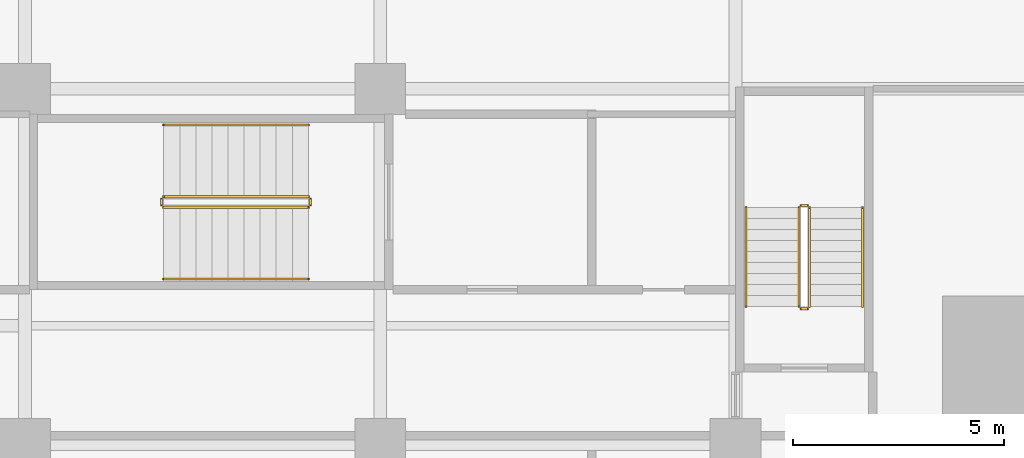
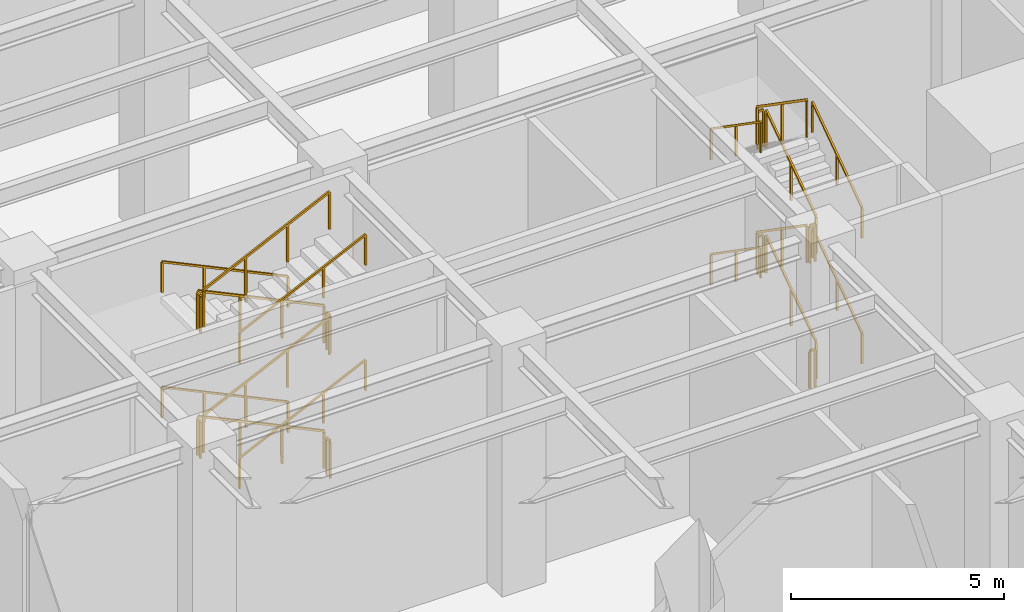
# One storey, part 41 of 43: 24 railings.
"""IFC4 building model written with IfcOpenShell, lengths in metres."""

from ifc_helpers import new_model, si_unit, direction, frame, origin, origin_2d, place, context, subcontext, project, spatial, rectangle, extrude, material, type_object, element, save


model = new_model("IFC4")

# Units and contexts
model_context = context("Model", 3, precision=1e-05, world=origin(), true_north=direction((0.0, 1.0)))
body_context = subcontext(model_context, "Body", "Model", "MODEL_VIEW")
ifc_project = project(units=[si_unit("LENGTHUNIT", "METRE"), si_unit("AREAUNIT", "SQUARE_METRE"), si_unit("VOLUMEUNIT", "CUBIC_METRE"), si_unit("PLANEANGLEUNIT", "RADIAN"), si_unit("MASSUNIT", "GRAM", prefix="KILO")], contexts=[model_context])

# Site, building, storey
site_placement = place(None, origin())
site = spatial("IfcSite", under=ifc_project, at=site_placement, CompositionType="ELEMENT")
building_placement = place(site_placement, origin())
building = spatial("IfcBuilding", under=site, at=building_placement, Name="Khepri Terraces", CompositionType="ELEMENT")
storey_placement = place(building_placement, origin())
storey = spatial("IfcBuildingStorey", under=building, at=storey_placement, Name="L00", CompositionType="ELEMENT", Elevation=0.0)

# Railings
ifc_material = material(Name="Stainless steel 316", Category="steel")
railing_type_1 = type_object("IfcRailingType", Name="RL-POD-GUARD", PredefinedType="GUARDRAIL", material=ifc_material)
railing_1_placement = place(storey_placement, frame((-23.449951171875, 20.050048828125, 0.179931640625)))
element("IfcRailing", 1, at=railing_1_placement, inside=storey, type_object=railing_type_1, Name="L00 PS-2 stair guard 1", PredefinedType="GUARDRAIL", context=body_context, shape_type="SweptSolid", body=[
    extrude(rectangle(XDim=0.050048828125, YDim=0.06005859375, at=origin_2d()), frame((0.0, 0.0, 1.070068359375), z_axis=(0.0, 0.822155131156, 0.569263506923), x_axis=(-1.0, 0.0, 0.0)), (0.0, 0.0, 1.0), 2.845947265625),
    extrude(rectangle(XDim=0.050048828125, YDim=0.050048828125, at=origin_2d()), origin(), (0.0, 0.0, 1.0), 1.0400390625),
    extrude(rectangle(XDim=0.050048828125, YDim=0.050048828125, at=origin_2d()), frame((0.0, 1.169921875, 0.81005859375)), (0.0, 0.0, 1.0), 1.0400390625),
    extrude(rectangle(XDim=0.050048828125, YDim=0.050048828125, at=origin_2d()), frame((0.0, 2.33984375, 1.6201171875)), (0.0, 0.0, 1.0), 1.0400390625),
])
railing_2_placement = place(storey_placement, frame((-23.5, 22.43994140625, 1.800048828125)))
element("IfcRailing", 2, at=railing_2_placement, inside=storey, type_object=railing_type_1, Name="L00 PS-2 stair guard 2", PredefinedType="GUARDRAIL", context=body_context, shape_type="SweptSolid", body=[
    extrude(rectangle(XDim=0.050048828125, YDim=0.06005859375, at=origin_2d()), frame((0.0, 0.0, 1.070068359375), z_axis=(-1.0, 0.0, 0.0), x_axis=(0.0, -1.0, 0.0)), (0.0, 0.0, 1.0), 0.14990234375),
    extrude(rectangle(XDim=0.050048828125, YDim=0.050048828125, at=origin_2d()), origin(), (0.0, 0.0, 1.0), 1.0400390625),
    extrude(rectangle(XDim=0.050048828125, YDim=0.050048828125, at=origin_2d()), frame((-0.14990234375, 0.0, 0.0)), (0.0, 0.0, 1.0), 1.0400390625),
])
railing_3_placement = place(storey_placement, frame((-23.699951171875, 22.389892578125, 1.97998046875)))
element("IfcRailing", 3, at=railing_3_placement, inside=storey, type_object=railing_type_1, Name="L00 PS-2 stair guard 3", PredefinedType="GUARDRAIL", context=body_context, shape_type="SweptSolid", body=[
    extrude(rectangle(XDim=0.050048828125, YDim=0.06005859375, at=origin_2d()), frame((0.0, 0.0, 1.070068359375), z_axis=(0.0, -0.822155131156, 0.569263506923), x_axis=(1.0, 0.0, 0.0)), (0.0, 0.0, 1.0), 2.845947265625),
    extrude(rectangle(XDim=0.050048828125, YDim=0.050048828125, at=origin_2d()), origin(), (0.0, 0.0, 1.0), 1.0400390625),
    extrude(rectangle(XDim=0.050048828125, YDim=0.050048828125, at=origin_2d()), frame((0.0, -1.169921875, 0.81005859375)), (0.0, 0.0, 1.0), 1.0400390625),
    extrude(rectangle(XDim=0.050048828125, YDim=0.050048828125, at=origin_2d()), frame((0.0, -2.33984375, 1.6201171875)), (0.0, 0.0, 1.0), 1.0400390625),
])
railing_4_placement = place(storey_placement, frame((-23.5, 20.0, 3.60009765625)))
element("IfcRailing", 4, at=railing_4_placement, inside=storey, type_object=railing_type_1, Name="L00 PS-2 stair guard 4", PredefinedType="GUARDRAIL", context=body_context, shape_type="SweptSolid", body=[
    extrude(rectangle(XDim=0.050048828125, YDim=0.06005859375, at=origin_2d()), frame((0.0, 0.0, 1.070068359375), z_axis=(-1.0, 0.0, 0.0), x_axis=(0.0, -1.0, 0.0)), (0.0, 0.0, 1.0), 0.14990234375),
    extrude(rectangle(XDim=0.050048828125, YDim=0.050048828125, at=origin_2d()), origin(), (0.0, 0.0, 1.0), 1.0400390625),
    extrude(rectangle(XDim=0.050048828125, YDim=0.050048828125, at=origin_2d()), frame((-0.14990234375, 0.0, 0.0)), (0.0, 0.0, 1.0), 1.0400390625),
])
railing_5_placement = place(storey_placement, frame((-23.449951171875, 20.050048828125, 3.780029296875)))
element("IfcRailing", 5, at=railing_5_placement, inside=storey, type_object=railing_type_1, Name="L00 PS-2 stair guard 5", PredefinedType="GUARDRAIL", context=body_context, shape_type="SweptSolid", body=[
    extrude(rectangle(XDim=0.050048828125, YDim=0.06005859375, at=origin_2d()), frame((0.0, 0.0, 1.070068359375), z_axis=(0.0, 0.822195280011, 0.569205517829), x_axis=(-1.0, 0.0, 0.0)), (0.0, 0.0, 1.0), 2.845947265625),
    extrude(rectangle(XDim=0.050048828125, YDim=0.050048828125, at=origin_2d()), origin(), (0.0, 0.0, 1.0), 1.0400390625),
    extrude(rectangle(XDim=0.050048828125, YDim=0.050048828125, at=origin_2d()), frame((0.0, 1.169921875, 0.81005859375)), (0.0, 0.0, 1.0), 1.0400390625),
    extrude(rectangle(XDim=0.050048828125, YDim=0.050048828125, at=origin_2d()), frame((0.0, 2.33984375, 1.619873046875)), (0.0, 0.0, 1.0), 1.0400390625),
])
railing_6_placement = place(storey_placement, frame((-23.5, 22.43994140625, 5.39990234375)))
element("IfcRailing", 6, at=railing_6_placement, inside=storey, type_object=railing_type_1, Name="L00 PS-2 stair guard 6", PredefinedType="GUARDRAIL", context=body_context, shape_type="SweptSolid", body=[
    extrude(rectangle(XDim=0.050048828125, YDim=0.06005859375, at=origin_2d()), frame((0.0, 0.0, 1.070068359375), z_axis=(-1.0, 0.0, 0.0), x_axis=(0.0, -1.0, 0.0)), (0.0, 0.0, 1.0), 0.14990234375),
    extrude(rectangle(XDim=0.050048828125, YDim=0.050048828125, at=origin_2d()), origin(), (0.0, 0.0, 1.0), 1.0400390625),
    extrude(rectangle(XDim=0.050048828125, YDim=0.050048828125, at=origin_2d()), frame((-0.14990234375, 0.0, 0.0)), (0.0, 0.0, 1.0), 1.0400390625),
])
railing_7_placement = place(storey_placement, frame((-23.699951171875, 22.389892578125, 5.580078125)))
element("IfcRailing", 7, at=railing_7_placement, inside=storey, type_object=railing_type_1, Name="L00 PS-2 stair guard 7", PredefinedType="GUARDRAIL", context=body_context, shape_type="SweptSolid", body=[
    extrude(rectangle(XDim=0.050048828125, YDim=0.06005859375, at=origin_2d()), frame((0.0, 0.0, 1.070068359375), z_axis=(0.0, -0.822195280011, 0.569205517829), x_axis=(1.0, 0.0, 0.0)), (0.0, 0.0, 1.0), 2.845947265625),
    extrude(rectangle(XDim=0.050048828125, YDim=0.050048828125, at=origin_2d()), origin(), (0.0, 0.0, 1.0), 1.0400390625),
    extrude(rectangle(XDim=0.050048828125, YDim=0.050048828125, at=origin_2d()), frame((0.0, -1.169921875, 0.81005859375)), (0.0, 0.0, 1.0), 1.0400390625),
    extrude(rectangle(XDim=0.050048828125, YDim=0.050048828125, at=origin_2d()), frame((0.0, -2.33984375, 1.619873046875)), (0.0, 0.0, 1.0), 1.0400390625),
])
railing_8_placement = place(storey_placement, frame((-23.5, 20.0, 0.0)))
element("IfcRailing", 8, at=railing_8_placement, inside=storey, type_object=railing_type_1, Name="L00 PS-2 stair guard 8", PredefinedType="GUARDRAIL", context=body_context, shape_type="SweptSolid", body=[
    extrude(rectangle(XDim=0.050048828125, YDim=0.06005859375, at=origin_2d()), frame((0.0, 0.0, 1.070068359375), z_axis=(-1.0, 0.0, 0.0), x_axis=(0.0, -1.0, 0.0)), (0.0, 0.0, 1.0), 0.14990234375),
    extrude(rectangle(XDim=0.050048828125, YDim=0.050048828125, at=origin_2d()), origin(), (0.0, 0.0, 1.0), 1.0400390625),
    extrude(rectangle(XDim=0.050048828125, YDim=0.050048828125, at=origin_2d()), frame((-0.14990234375, 0.0, 0.0)), (0.0, 0.0, 1.0), 1.0400390625),
])
railing_9_placement = place(storey_placement, frame((-35.300048828125, 22.64990234375, 0.179931640625)))
element("IfcRailing", 9, at=railing_9_placement, inside=storey, type_object=railing_type_1, Name="L00 PS-5 stair guard 1", PredefinedType="GUARDRAIL", context=body_context, shape_type="SweptSolid", body=[
    extrude(rectangle(XDim=0.050048828125, YDim=0.06005859375, at=origin_2d()), frame((0.0, 0.0, 1.070068359375), z_axis=(-0.903722074505, 0.0, 0.428119623531), x_axis=(0.0, -1.0, 0.0)), (0.0, 0.0, 1.0), 3.7841796875),
    extrude(rectangle(XDim=0.050048828125, YDim=0.050048828125, at=origin_2d()), origin(), (0.0, 0.0, 1.0), 1.0400390625),
    extrude(rectangle(XDim=0.050048828125, YDim=0.050048828125, at=origin_2d()), frame((-1.139892578125, 0.0, 0.5400390625)), (0.0, 0.0, 1.0), 1.0400390625),
    extrude(rectangle(XDim=0.050048828125, YDim=0.050048828125, at=origin_2d()), frame((-2.280029296875, 0.0, 1.080078125)), (0.0, 0.0, 1.0), 1.0400390625),
    extrude(rectangle(XDim=0.050048828125, YDim=0.050048828125, at=origin_2d()), frame((-3.419921875, 0.0, 1.6201171875)), (0.0, 0.0, 1.0), 1.0400390625),
])
railing_10_placement = place(storey_placement, frame((-38.77001953125, 22.60009765625, 1.800048828125)))
element("IfcRailing", 10, at=railing_10_placement, inside=storey, type_object=railing_type_1, Name="L00 PS-5 stair guard 2", PredefinedType="GUARDRAIL", context=body_context, shape_type="SweptSolid", body=[
    extrude(rectangle(XDim=0.050048828125, YDim=0.06005859375, at=origin_2d()), frame((0.0, 0.0, 1.070068359375), z_axis=(0.0, -1.0, 0.0), x_axis=(1.0, 0.0, 0.0)), (0.0, 0.0, 1.0), 0.150146484375),
    extrude(rectangle(XDim=0.050048828125, YDim=0.050048828125, at=origin_2d()), origin(), (0.0, 0.0, 1.0), 1.0400390625),
    extrude(rectangle(XDim=0.050048828125, YDim=0.050048828125, at=origin_2d()), frame((0.0, -0.150146484375, 0.0)), (0.0, 0.0, 1.0), 1.0400390625),
])
railing_11_placement = place(storey_placement, frame((-38.719970703125, 22.39990234375, 1.97998046875)))
element("IfcRailing", 11, at=railing_11_placement, inside=storey, type_object=railing_type_1, Name="L00 PS-5 stair guard 3", PredefinedType="GUARDRAIL", context=body_context, shape_type="SweptSolid", body=[
    extrude(rectangle(XDim=0.050048828125, YDim=0.06005859375, at=origin_2d()), frame((0.0, 0.0, 1.070068359375), z_axis=(0.903722074505, 0.0, 0.428119623531), x_axis=(0.0, 1.0, 0.0)), (0.0, 0.0, 1.0), 3.7841796875),
    extrude(rectangle(XDim=0.050048828125, YDim=0.050048828125, at=origin_2d()), origin(), (0.0, 0.0, 1.0), 1.0400390625),
    extrude(rectangle(XDim=0.050048828125, YDim=0.050048828125, at=origin_2d()), frame((1.139892578125, 0.0, 0.5400390625)), (0.0, 0.0, 1.0), 1.0400390625),
    extrude(rectangle(XDim=0.050048828125, YDim=0.050048828125, at=origin_2d()), frame((2.280029296875, 0.0, 1.080078125)), (0.0, 0.0, 1.0), 1.0400390625),
    extrude(rectangle(XDim=0.050048828125, YDim=0.050048828125, at=origin_2d()), frame((3.419921875, 0.0, 1.6201171875)), (0.0, 0.0, 1.0), 1.0400390625),
])
railing_12_placement = place(storey_placement, frame((-35.25, 22.60009765625, 3.60009765625)))
element("IfcRailing", 12, at=railing_12_placement, inside=storey, type_object=railing_type_1, Name="L00 PS-5 stair guard 4", PredefinedType="GUARDRAIL", context=body_context, shape_type="SweptSolid", body=[
    extrude(rectangle(XDim=0.050048828125, YDim=0.06005859375, at=origin_2d()), frame((0.0, 0.0, 1.070068359375), z_axis=(0.0, -1.0, 0.0), x_axis=(1.0, 0.0, 0.0)), (0.0, 0.0, 1.0), 0.150146484375),
    extrude(rectangle(XDim=0.050048828125, YDim=0.050048828125, at=origin_2d()), origin(), (0.0, 0.0, 1.0), 1.0400390625),
    extrude(rectangle(XDim=0.050048828125, YDim=0.050048828125, at=origin_2d()), frame((0.0, -0.150146484375, 0.0)), (0.0, 0.0, 1.0), 1.0400390625),
])
railing_13_placement = place(storey_placement, frame((-35.300048828125, 22.64990234375, 3.780029296875)))
element("IfcRailing", 13, at=railing_13_placement, inside=storey, type_object=railing_type_1, Name="L00 PS-5 stair guard 5", PredefinedType="GUARDRAIL", context=body_context, shape_type="SweptSolid", body=[
    extrude(rectangle(XDim=0.050048828125, YDim=0.06005859375, at=origin_2d()), frame((0.0, 0.0, 1.070068359375), z_axis=(-0.903747034475, 0.0, 0.428066931306), x_axis=(0.0, -1.0, 0.0)), (0.0, 0.0, 1.0), 3.7841796875),
    extrude(rectangle(XDim=0.050048828125, YDim=0.050048828125, at=origin_2d()), origin(), (0.0, 0.0, 1.0), 1.0400390625),
    extrude(rectangle(XDim=0.050048828125, YDim=0.050048828125, at=origin_2d()), frame((-1.139892578125, 0.0, 0.5400390625)), (0.0, 0.0, 1.0), 1.0400390625),
    extrude(rectangle(XDim=0.050048828125, YDim=0.050048828125, at=origin_2d()), frame((-2.280029296875, 0.0, 1.079833984375)), (0.0, 0.0, 1.0), 1.0400390625),
    extrude(rectangle(XDim=0.050048828125, YDim=0.050048828125, at=origin_2d()), frame((-3.419921875, 0.0, 1.619873046875)), (0.0, 0.0, 1.0), 1.0400390625),
])
railing_14_placement = place(storey_placement, frame((-38.77001953125, 22.60009765625, 5.39990234375)))
element("IfcRailing", 14, at=railing_14_placement, inside=storey, type_object=railing_type_1, Name="L00 PS-5 stair guard 6", PredefinedType="GUARDRAIL", context=body_context, shape_type="SweptSolid", body=[
    extrude(rectangle(XDim=0.050048828125, YDim=0.06005859375, at=origin_2d()), frame((0.0, 0.0, 1.070068359375), z_axis=(0.0, -1.0, 0.0), x_axis=(1.0, 0.0, 0.0)), (0.0, 0.0, 1.0), 0.150146484375),
    extrude(rectangle(XDim=0.050048828125, YDim=0.050048828125, at=origin_2d()), origin(), (0.0, 0.0, 1.0), 1.0400390625),
    extrude(rectangle(XDim=0.050048828125, YDim=0.050048828125, at=origin_2d()), frame((0.0, -0.150146484375, 0.0)), (0.0, 0.0, 1.0), 1.0400390625),
])
railing_15_placement = place(storey_placement, frame((-38.719970703125, 22.39990234375, 5.580078125)))
element("IfcRailing", 15, at=railing_15_placement, inside=storey, type_object=railing_type_1, Name="L00 PS-5 stair guard 7", PredefinedType="GUARDRAIL", context=body_context, shape_type="SweptSolid", body=[
    extrude(rectangle(XDim=0.050048828125, YDim=0.06005859375, at=origin_2d()), frame((0.0, 0.0, 1.070068359375), z_axis=(0.903747034475, 0.0, 0.428066931306), x_axis=(0.0, 1.0, 0.0)), (0.0, 0.0, 1.0), 3.7841796875),
    extrude(rectangle(XDim=0.050048828125, YDim=0.050048828125, at=origin_2d()), origin(), (0.0, 0.0, 1.0), 1.0400390625),
    extrude(rectangle(XDim=0.050048828125, YDim=0.050048828125, at=origin_2d()), frame((1.139892578125, 0.0, 0.5400390625)), (0.0, 0.0, 1.0), 1.0400390625),
    extrude(rectangle(XDim=0.050048828125, YDim=0.050048828125, at=origin_2d()), frame((2.280029296875, 0.0, 1.079833984375)), (0.0, 0.0, 1.0), 1.0400390625),
    extrude(rectangle(XDim=0.050048828125, YDim=0.050048828125, at=origin_2d()), frame((3.419921875, 0.0, 1.619873046875)), (0.0, 0.0, 1.0), 1.0400390625),
])
railing_16_placement = place(storey_placement, frame((-35.25, 22.60009765625, 0.0)))
element("IfcRailing", 16, at=railing_16_placement, inside=storey, type_object=railing_type_1, Name="L00 PS-5 stair guard 8", PredefinedType="GUARDRAIL", context=body_context, shape_type="SweptSolid", body=[
    extrude(rectangle(XDim=0.050048828125, YDim=0.06005859375, at=origin_2d()), frame((0.0, 0.0, 1.070068359375), z_axis=(0.0, -1.0, 0.0), x_axis=(1.0, 0.0, 0.0)), (0.0, 0.0, 1.0), 0.150146484375),
    extrude(rectangle(XDim=0.050048828125, YDim=0.050048828125, at=origin_2d()), origin(), (0.0, 0.0, 1.0), 1.0400390625),
    extrude(rectangle(XDim=0.050048828125, YDim=0.050048828125, at=origin_2d()), frame((0.0, -0.150146484375, 0.0)), (0.0, 0.0, 1.0), 1.0400390625),
])
railing_type_2 = type_object("IfcRailingType", Name="RL-POD-HANDRAIL", PredefinedType="HANDRAIL", material=ifc_material)
railing_17_placement = place(storey_placement, frame((-22.199951171875, 20.050048828125, 0.179931640625)))
element("IfcRailing", 17, at=railing_17_placement, inside=storey, type_object=railing_type_2, Name="L00 PS-2 stair handrail 1", PredefinedType="HANDRAIL", context=body_context, shape_type="SweptSolid", body=[
    extrude(rectangle(XDim=0.050048828125, YDim=0.050048828125, at=origin_2d()), frame((0.0, 0.0, 0.875), z_axis=(0.0, 0.822155131156, 0.569263506923), x_axis=(-1.0, 0.0, 0.0)), (0.0, 0.0, 1.0), 2.845947265625),
    extrude(rectangle(XDim=0.050048828125, YDim=0.050048828125, at=origin_2d()), origin(), (0.0, 0.0, 1.0), 0.849853515625),
    extrude(rectangle(XDim=0.050048828125, YDim=0.050048828125, at=origin_2d()), frame((0.0, 1.169921875, 0.81005859375)), (0.0, 0.0, 1.0), 0.849853515625),
    extrude(rectangle(XDim=0.050048828125, YDim=0.050048828125, at=origin_2d()), frame((0.0, 2.33984375, 1.6201171875)), (0.0, 0.0, 1.0), 0.849853515625),
])
railing_18_placement = place(storey_placement, frame((-24.949951171875, 22.389892578125, 1.97998046875)))
element("IfcRailing", 18, at=railing_18_placement, inside=storey, type_object=railing_type_2, Name="L00 PS-2 stair handrail 2", PredefinedType="HANDRAIL", context=body_context, shape_type="SweptSolid", body=[
    extrude(rectangle(XDim=0.050048828125, YDim=0.050048828125, at=origin_2d()), frame((0.0, 0.0, 0.875), z_axis=(0.0, -0.822155131156, 0.569263506923), x_axis=(1.0, 0.0, 0.0)), (0.0, 0.0, 1.0), 2.845947265625),
    extrude(rectangle(XDim=0.050048828125, YDim=0.050048828125, at=origin_2d()), origin(), (0.0, 0.0, 1.0), 0.849853515625),
    extrude(rectangle(XDim=0.050048828125, YDim=0.050048828125, at=origin_2d()), frame((0.0, -1.169921875, 0.81005859375)), (0.0, 0.0, 1.0), 0.849853515625),
    extrude(rectangle(XDim=0.050048828125, YDim=0.050048828125, at=origin_2d()), frame((0.0, -2.33984375, 1.6201171875)), (0.0, 0.0, 1.0), 0.849853515625),
])
railing_19_placement = place(storey_placement, frame((-22.199951171875, 20.050048828125, 3.780029296875)))
element("IfcRailing", 19, at=railing_19_placement, inside=storey, type_object=railing_type_2, Name="L00 PS-2 stair handrail 3", PredefinedType="HANDRAIL", context=body_context, shape_type="SweptSolid", body=[
    extrude(rectangle(XDim=0.050048828125, YDim=0.050048828125, at=origin_2d()), frame((0.0, 0.0, 0.875), z_axis=(0.0, 0.822195280011, 0.569205517829), x_axis=(-1.0, 0.0, 0.0)), (0.0, 0.0, 1.0), 2.845947265625),
    extrude(rectangle(XDim=0.050048828125, YDim=0.050048828125, at=origin_2d()), origin(), (0.0, 0.0, 1.0), 0.849853515625),
    extrude(rectangle(XDim=0.050048828125, YDim=0.050048828125, at=origin_2d()), frame((0.0, 1.169921875, 0.81005859375)), (0.0, 0.0, 1.0), 0.849853515625),
    extrude(rectangle(XDim=0.050048828125, YDim=0.050048828125, at=origin_2d()), frame((0.0, 2.33984375, 1.619873046875)), (0.0, 0.0, 1.0), 0.849853515625),
])
railing_20_placement = place(storey_placement, frame((-24.949951171875, 22.389892578125, 5.580078125)))
element("IfcRailing", 20, at=railing_20_placement, inside=storey, type_object=railing_type_2, Name="L00 PS-2 stair handrail 4", PredefinedType="HANDRAIL", context=body_context, shape_type="SweptSolid", body=[
    extrude(rectangle(XDim=0.050048828125, YDim=0.050048828125, at=origin_2d()), frame((0.0, 0.0, 0.875), z_axis=(0.0, -0.822195280011, 0.569205517829), x_axis=(1.0, 0.0, 0.0)), (0.0, 0.0, 1.0), 2.845947265625),
    extrude(rectangle(XDim=0.050048828125, YDim=0.050048828125, at=origin_2d()), origin(), (0.0, 0.0, 1.0), 0.849853515625),
    extrude(rectangle(XDim=0.050048828125, YDim=0.050048828125, at=origin_2d()), frame((0.0, -1.169921875, 0.81005859375)), (0.0, 0.0, 1.0), 0.849853515625),
    extrude(rectangle(XDim=0.050048828125, YDim=0.050048828125, at=origin_2d()), frame((0.0, -2.33984375, 1.619873046875)), (0.0, 0.0, 1.0), 0.849853515625),
])
railing_21_placement = place(storey_placement, frame((-35.300048828125, 24.35009765625, 0.179931640625)))
element("IfcRailing", 21, at=railing_21_placement, inside=storey, type_object=railing_type_2, Name="L00 PS-5 stair handrail 1", PredefinedType="HANDRAIL", context=body_context, shape_type="SweptSolid", body=[
    extrude(rectangle(XDim=0.050048828125, YDim=0.050048828125, at=origin_2d()), frame((0.0, 0.0, 0.875), z_axis=(-0.903722074505, 0.0, 0.428119623531), x_axis=(0.0, -1.0, 0.0)), (0.0, 0.0, 1.0), 3.7841796875),
    extrude(rectangle(XDim=0.050048828125, YDim=0.050048828125, at=origin_2d()), origin(), (0.0, 0.0, 1.0), 0.849853515625),
    extrude(rectangle(XDim=0.050048828125, YDim=0.050048828125, at=origin_2d()), frame((-1.139892578125, 0.0, 0.5400390625)), (0.0, 0.0, 1.0), 0.849853515625),
    extrude(rectangle(XDim=0.050048828125, YDim=0.050048828125, at=origin_2d()), frame((-2.280029296875, 0.0, 1.080078125)), (0.0, 0.0, 1.0), 0.849853515625),
    extrude(rectangle(XDim=0.050048828125, YDim=0.050048828125, at=origin_2d()), frame((-3.419921875, 0.0, 1.6201171875)), (0.0, 0.0, 1.0), 0.849853515625),
])
railing_22_placement = place(storey_placement, frame((-38.719970703125, 20.699951171875, 1.97998046875)))
element("IfcRailing", 22, at=railing_22_placement, inside=storey, type_object=railing_type_2, Name="L00 PS-5 stair handrail 2", PredefinedType="HANDRAIL", context=body_context, shape_type="SweptSolid", body=[
    extrude(rectangle(XDim=0.050048828125, YDim=0.050048828125, at=origin_2d()), frame((0.0, 0.0, 0.875), z_axis=(0.903722074505, 0.0, 0.428119623531), x_axis=(0.0, 1.0, 0.0)), (0.0, 0.0, 1.0), 3.7841796875),
    extrude(rectangle(XDim=0.050048828125, YDim=0.050048828125, at=origin_2d()), origin(), (0.0, 0.0, 1.0), 0.849853515625),
    extrude(rectangle(XDim=0.050048828125, YDim=0.050048828125, at=origin_2d()), frame((1.139892578125, 0.0, 0.5400390625)), (0.0, 0.0, 1.0), 0.849853515625),
    extrude(rectangle(XDim=0.050048828125, YDim=0.050048828125, at=origin_2d()), frame((2.280029296875, 0.0, 1.080078125)), (0.0, 0.0, 1.0), 0.849853515625),
    extrude(rectangle(XDim=0.050048828125, YDim=0.050048828125, at=origin_2d()), frame((3.419921875, 0.0, 1.6201171875)), (0.0, 0.0, 1.0), 0.849853515625),
])
railing_23_placement = place(storey_placement, frame((-35.300048828125, 24.35009765625, 3.780029296875)))
element("IfcRailing", 23, at=railing_23_placement, inside=storey, type_object=railing_type_2, Name="L00 PS-5 stair handrail 3", PredefinedType="HANDRAIL", context=body_context, shape_type="SweptSolid", body=[
    extrude(rectangle(XDim=0.050048828125, YDim=0.050048828125, at=origin_2d()), frame((0.0, 0.0, 0.875), z_axis=(-0.903747034475, 0.0, 0.428066931306), x_axis=(0.0, -1.0, 0.0)), (0.0, 0.0, 1.0), 3.7841796875),
    extrude(rectangle(XDim=0.050048828125, YDim=0.050048828125, at=origin_2d()), origin(), (0.0, 0.0, 1.0), 0.849853515625),
    extrude(rectangle(XDim=0.050048828125, YDim=0.050048828125, at=origin_2d()), frame((-1.139892578125, 0.0, 0.5400390625)), (0.0, 0.0, 1.0), 0.849853515625),
    extrude(rectangle(XDim=0.050048828125, YDim=0.050048828125, at=origin_2d()), frame((-2.280029296875, 0.0, 1.079833984375)), (0.0, 0.0, 1.0), 0.849853515625),
    extrude(rectangle(XDim=0.050048828125, YDim=0.050048828125, at=origin_2d()), frame((-3.419921875, 0.0, 1.619873046875)), (0.0, 0.0, 1.0), 0.849853515625),
])
railing_24_placement = place(storey_placement, frame((-38.719970703125, 20.699951171875, 5.580078125)))
element("IfcRailing", 24, at=railing_24_placement, inside=storey, type_object=railing_type_2, Name="L00 PS-5 stair handrail 4", PredefinedType="HANDRAIL", context=body_context, shape_type="SweptSolid", body=[
    extrude(rectangle(XDim=0.050048828125, YDim=0.050048828125, at=origin_2d()), frame((0.0, 0.0, 0.875), z_axis=(0.903747034475, 0.0, 0.428066931306), x_axis=(0.0, 1.0, 0.0)), (0.0, 0.0, 1.0), 3.7841796875),
    extrude(rectangle(XDim=0.050048828125, YDim=0.050048828125, at=origin_2d()), origin(), (0.0, 0.0, 1.0), 0.849853515625),
    extrude(rectangle(XDim=0.050048828125, YDim=0.050048828125, at=origin_2d()), frame((1.139892578125, 0.0, 0.5400390625)), (0.0, 0.0, 1.0), 0.849853515625),
    extrude(rectangle(XDim=0.050048828125, YDim=0.050048828125, at=origin_2d()), frame((2.280029296875, 0.0, 1.079833984375)), (0.0, 0.0, 1.0), 0.849853515625),
    extrude(rectangle(XDim=0.050048828125, YDim=0.050048828125, at=origin_2d()), frame((3.419921875, 0.0, 1.619873046875)), (0.0, 0.0, 1.0), 0.849853515625),
])

save(model, "model.ifc")
